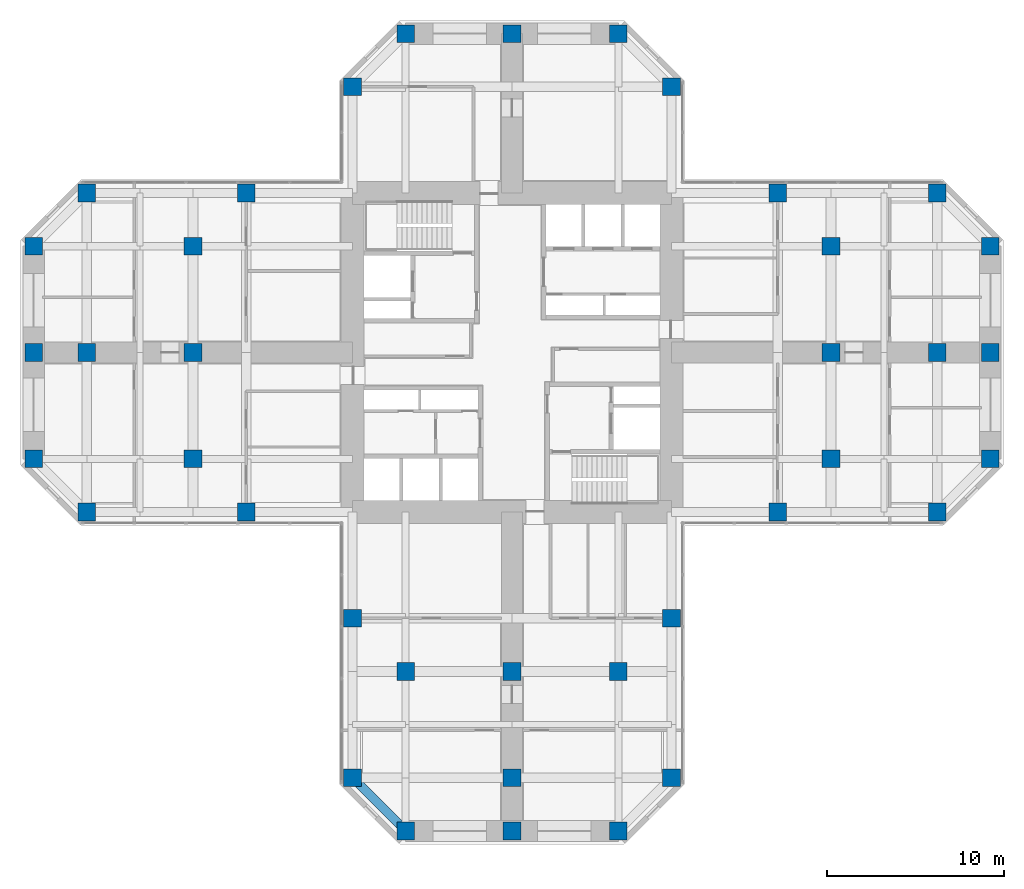
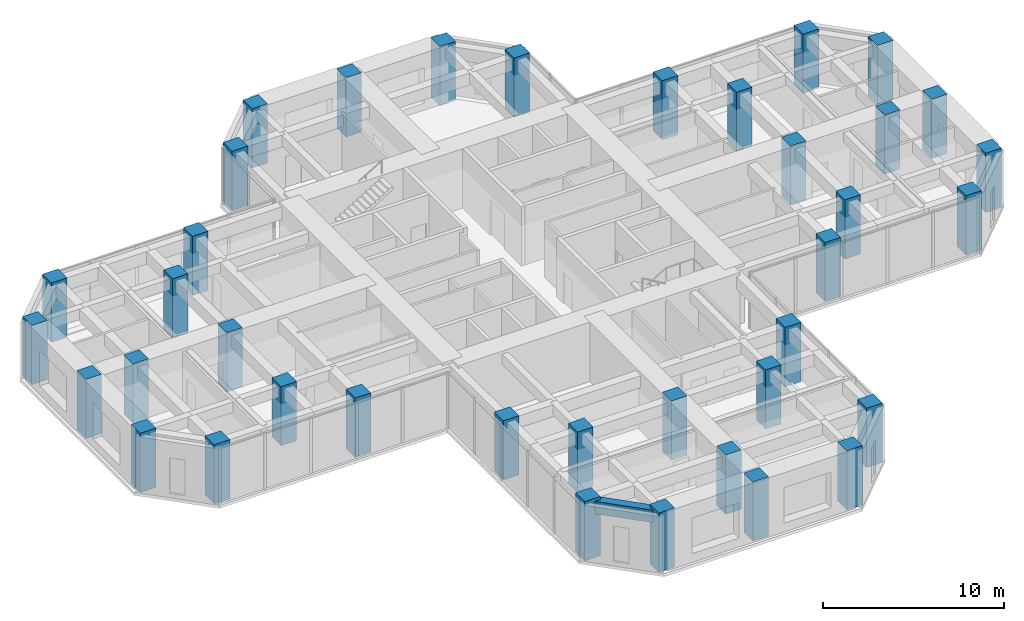
# One storey, part 1 of 13: 38 columns, 1 beam.
"""IFC4 building model written with IfcOpenShell, lengths in metres."""

from ifc_helpers import new_model, si_unit, direction, frame, origin, origin_2d, place, context, subcontext, project, spatial, rectangle, extrude, material, material_profile, profile_set, type_object, element, save


model = new_model("IFC4")

# Units and contexts
model_context = context("Model", 3, precision=1e-05, world=origin(), true_north=direction((0.0, 1.0)))
body_context = subcontext(model_context, "Body", "Model", "MODEL_VIEW")
ifc_project = project(units=[si_unit("LENGTHUNIT", "METRE"), si_unit("AREAUNIT", "SQUARE_METRE"), si_unit("VOLUMEUNIT", "CUBIC_METRE"), si_unit("PLANEANGLEUNIT", "RADIAN"), si_unit("MASSUNIT", "GRAM", prefix="KILO")], contexts=[model_context])

# Site, building, storey
site_placement = place(None, origin())
site = spatial("IfcSite", under=ifc_project, at=site_placement, CompositionType="ELEMENT")
building_placement = place(site_placement, origin())
building = spatial("IfcBuilding", under=site, at=building_placement, Name="Torre Cruceta", CompositionType="ELEMENT")
storey_placement = place(building_placement, frame((0.0, 0.0, 128.5)))
storey = spatial("IfcBuildingStorey", under=building, at=storey_placement, Name="L31", CompositionType="ELEMENT", Elevation=128.5)

# Columns
ifc_material_1 = material(Name="Concrete G60 (fck 60 MPa)", Category="concrete")
ifc_material_profile_1 = material_profile(ifc_material_1, rectangle(XDim=1.0, YDim=1.0, at=origin_2d()), Name="RC 1000X1000")
ifc_profile_set_1 = profile_set([ifc_material_profile_1], Name="Concrete G60 (fck 60 MPa)")
column_type = type_object("IfcColumnType", Name="COLUMN RC 1000X1000", PredefinedType="COLUMN", material=ifc_profile_set_1)
for number, where, z_axis, x_axis, name in (
    (1, (9.0, 15.0, 0.0), (0.0, 0.0, 1.0), (1.0, 0.0, 0.0), "C5 L31 N chamfer"),
    (2, (-9.0, 15.0, 0.0), (0.0, 0.0, 1.0), (1.0, 0.0, 0.0), "C5 L31 N chamfer"),
    (3, (6.0, 18.0, 0.0), (0.0, 0.0, 1.0), (1.0, 0.0, 0.0), "C5 L31 N tip"),
    (4, (0.0, 18.0, 0.0), (0.0, 0.0, 1.0), (1.0, 0.0, 0.0), "C5 L31 N tip"),
    (5, (-6.0, 18.0, 0.0), (0.0, 0.0, 1.0), (1.0, 0.0, 0.0), "C5 L31 N tip"),
    (6, (15.0, -9.0, 0.0), (0.0, 0.0, 1.0), (1.0, 0.0, 0.0), "C5 L31 E side"),
    (7, (24.0, -9.0, 0.0), (0.0, 0.0, 1.0), (1.0, 0.0, 0.0), "C5 L31 E chamfer"),
    (8, (15.0, 9.0, 0.0), (0.0, 0.0, 1.0), (1.0, 0.0, 0.0), "C5 L31 E side"),
    (9, (24.0, 9.0, 0.0), (0.0, 0.0, 1.0), (1.0, 0.0, 0.0), "C5 L31 E chamfer"),
    (10, (27.0, -6.0, 0.0), (0.0, 0.0, 1.0), (1.0, 0.0, 0.0), "C5 L31 E tip"),
    (11, (27.0, 0.0, 0.0), (0.0, 0.0, 1.0), (1.0, 0.0, 0.0), "C5 L31 E tip"),
    (12, (27.0, 6.0, 0.0), (0.0, 0.0, 1.0), (1.0, 0.0, 0.0), "C5 L31 E tip"),
    (13, (-9.0, -15.0, 0.0), (0.0, 0.0, 1.0), (1.0, 0.0, 0.0), "C5 L31 S side"),
    (14, (-9.0, -24.0, 0.0), (0.0, 0.0, 1.0), (1.0, 0.0, 0.0), "C5 L31 S chamfer"),
    (15, (9.0, -15.0, 0.0), (0.0, 0.0, 1.0), (1.0, 0.0, 0.0), "C5 L31 S side"),
    (16, (9.0, -24.0, 0.0), (0.0, 0.0, 1.0), (1.0, 0.0, 0.0), "C5 L31 S chamfer"),
    (17, (-6.0, -27.0, 0.0), (0.0, 0.0, 1.0), (1.0, 0.0, 0.0), "C5 L31 S tip"),
    (18, (0.0, -27.0, 0.0), (0.0, 0.0, 1.0), (1.0, 0.0, 0.0), "C5 L31 S tip"),
    (19, (6.0, -27.0, 0.0), (0.0, 0.0, 1.0), (1.0, 0.0, 0.0), "C5 L31 S tip"),
    (20, (-15.0, 9.0, 0.0), (0.0, 0.0, 1.0), (1.0, 0.0, 0.0), "C5 L31 W side"),
    (21, (-24.0, 9.0, 0.0), (0.0, 0.0, 1.0), (1.0, 0.0, 0.0), "C5 L31 W chamfer"),
    (22, (-15.0, -9.0, 0.0), (0.0, 0.0, 1.0), (1.0, 0.0, 0.0), "C5 L31 W side"),
    (23, (-24.0, -9.0, 0.0), (0.0, 0.0, 1.0), (1.0, 0.0, 0.0), "C5 L31 W chamfer"),
    (24, (-27.0, 6.0, 0.0), (0.0, 0.0, 1.0), (1.0, 0.0, 0.0), "C5 L31 W tip"),
    (25, (-27.0, 0.0, 0.0), (0.0, 0.0, 1.0), (1.0, 0.0, 0.0), "C5 L31 W tip"),
    (26, (-27.0, -6.0, 0.0), (0.0, 0.0, 1.0), (1.0, 0.0, 0.0), "C5 L31 W tip"),
    (27, (18.0, -6.0, 0.0), (0.0, 0.0, 1.0), (1.0, 0.0, 0.0), "C5 L31 E interior"),
    (28, (18.0, 0.0, 0.0), (0.0, 0.0, 1.0), (1.0, 0.0, 0.0), "C5 L31 E interior"),
    (29, (18.0, 6.0, 0.0), (0.0, 0.0, 1.0), (1.0, 0.0, 0.0), "C5 L31 E interior"),
    (30, (24.0, 0.0, 0.0), (0.0, 0.0, 1.0), (1.0, 0.0, 0.0), "C5 L31 E interior"),
    (31, (-6.0, -18.0, 0.0), (0.0, 0.0, 1.0), (1.0, 0.0, 0.0), "C5 L31 S interior"),
    (32, (0.0, -18.0, 0.0), (0.0, 0.0, 1.0), (1.0, 0.0, 0.0), "C5 L31 S interior"),
    (33, (6.0, -18.0, 0.0), (0.0, 0.0, 1.0), (1.0, 0.0, 0.0), "C5 L31 S interior"),
    (34, (0.0, -24.0, 0.0), (0.0, 0.0, 1.0), (1.0, 0.0, 0.0), "C5 L31 S interior"),
    (35, (-18.0, 6.0, 0.0), (0.0, 0.0, 1.0), (1.0, 0.0, 0.0), "C5 L31 W interior"),
    (36, (-18.0, 0.0, 0.0), (0.0, 0.0, 1.0), (1.0, 0.0, 0.0), "C5 L31 W interior"),
    (37, (-18.0, -6.0, 0.0), (0.0, 0.0, 1.0), (1.0, 0.0, 0.0), "C5 L31 W interior"),
    (38, (-24.0, 0.0, 0.0), (0.0, 0.0, 1.0), (1.0, 0.0, 0.0), "C5 L31 W interior"),
):
    element("IfcColumn", number, at=place(storey_placement, frame(where, z_axis=z_axis, x_axis=x_axis)), inside=storey, type_object=column_type, Name=name, PredefinedType="COLUMN", context=body_context, shape_type="SweptSolid", body=[
        extrude(rectangle(XDim=1.0, YDim=1.0, at=origin_2d()), origin(), (0.0, 0.0, 1.0), 4.0),
    ])

# Beam
ifc_material_2 = material(Name="Concrete G60 (fck 60 MPa)", Category="concrete")
ifc_material_profile_2 = material_profile(ifc_material_2, rectangle(XDim=0.5, YDim=0.85009765625, at=origin_2d()), Name="RC 500X850")
ifc_profile_set_2 = profile_set([ifc_material_profile_2], Name="Concrete G60 (fck 60 MPa)")
beam_type = type_object("IfcBeamType", Name="SPANDREL BEAM RC 500X850", PredefinedType="SPANDREL", material=ifc_profile_set_2)
beam_placement = place(storey_placement, frame((-9.0, -24.0, 3.375), z_axis=(0.707106781187, -0.707106781187, 0.0), x_axis=(0.707106781187, 0.707106781187, 0.0)))
element("IfcBeam", 39, at=beam_placement, inside=storey, type_object=beam_type, Name="SB5 L31 S side- 5", PredefinedType="SPANDREL", context=body_context, shape_type="SweptSolid", body=[
    extrude(rectangle(XDim=0.5, YDim=0.85009765625, at=origin_2d()), origin(), (0.0, 0.0, 1.0), 4.24267578125),
])

save(model, "model.ifc")
